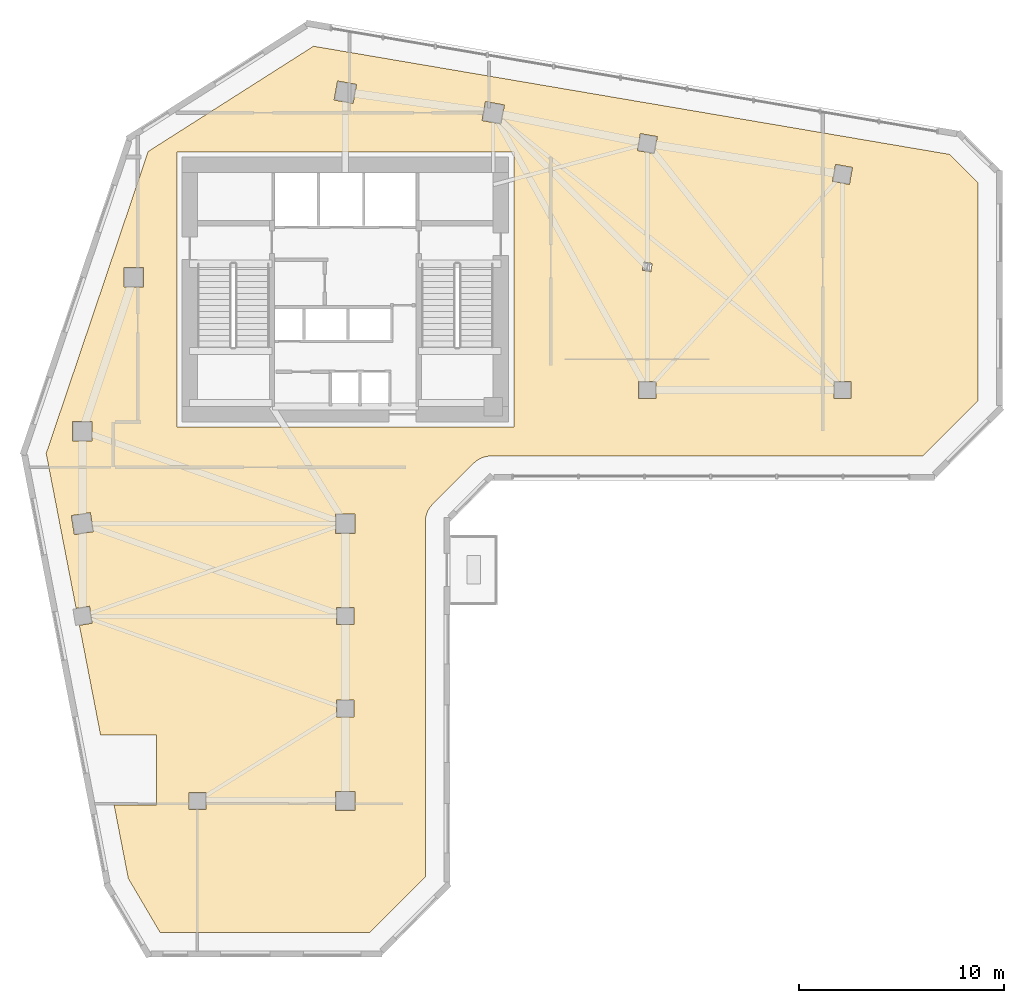
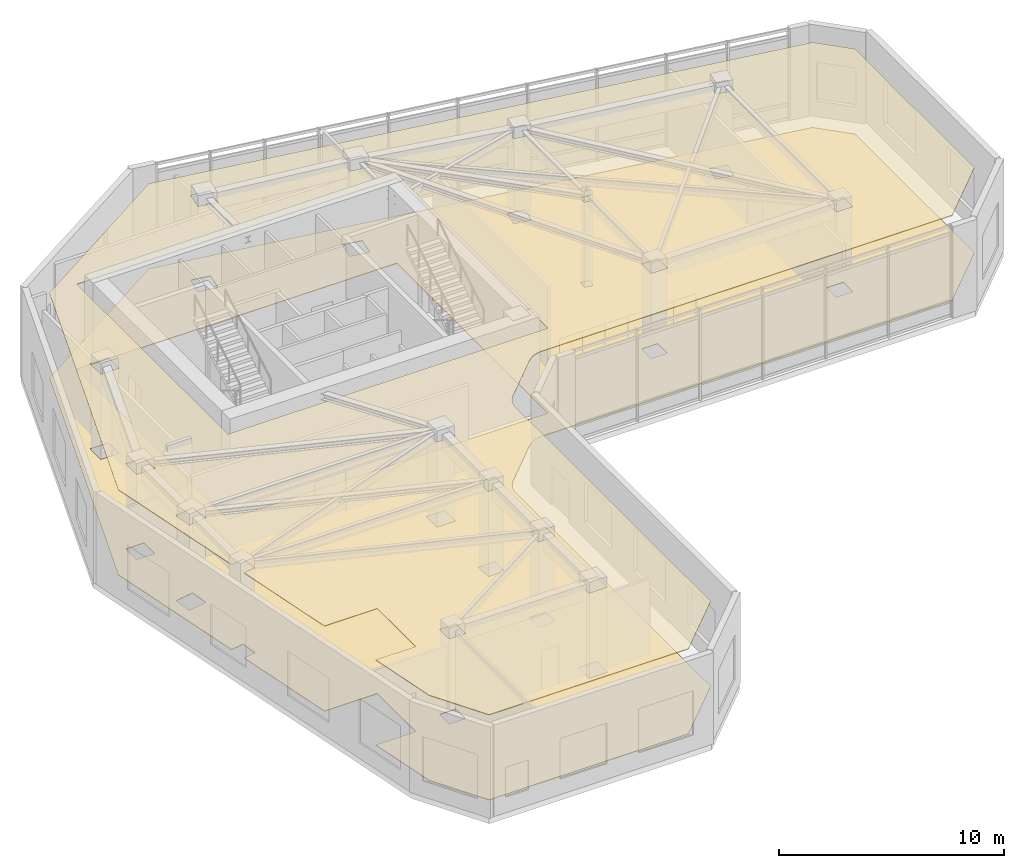
# One storey, part 8 of 9: 2 coverings.
"""IFC4 building model written with IfcOpenShell, lengths in metres."""

from ifc_helpers import new_model, si_unit, direction, frame, origin, place, context, subcontext, project, spatial, polyline, outline, extrude, material, layer, layer_set, type_object, element, save


model = new_model("IFC4")

# Units and contexts
model_context = context("Model", 3, precision=1e-05, world=origin(), true_north=direction((0.0, 1.0)))
body_context = subcontext(model_context, "Body", "Model", "MODEL_VIEW")
ifc_project = project(units=[si_unit("LENGTHUNIT", "METRE"), si_unit("AREAUNIT", "SQUARE_METRE"), si_unit("VOLUMEUNIT", "CUBIC_METRE"), si_unit("PLANEANGLEUNIT", "RADIAN"), si_unit("MASSUNIT", "GRAM", prefix="KILO")], contexts=[model_context])

# Site, building, storey
site_placement = place(None, origin())
site = spatial("IfcSite", under=ifc_project, at=site_placement, CompositionType="ELEMENT")
building_placement = place(site_placement, origin())
building = spatial("IfcBuilding", under=site, at=building_placement, Name="Calvemar Wedge Station Tower", CompositionType="ELEMENT")
storey_placement = place(building_placement, frame((0.0, 0.0, 105.39990234375)))
storey = spatial("IfcBuildingStorey", under=building, at=storey_placement, Name="L25", CompositionType="ELEMENT", Elevation=105.39990234375)

# Coverings
ifc_material_1 = material(Name="Acoustic mineral fibre ceiling board")
ifc_layer_1 = layer(ifc_material_1, 0.0400390625)
ifc_layer_set_1 = layer_set([ifc_layer_1], Name="Acoustic mineral fibre ceiling board")
covering_type_1 = type_object("IfcCoveringType", Name="COV-CEIL-ACOUSTIC", PredefinedType="CEILING", material=ifc_layer_set_1)
covering_1_placement = place(storey_placement, frame((0.0, 0.0, 4.60009765625)))
element("IfcCovering", 1, at=covering_1_placement, inside=storey, type_object=covering_type_1, Name="Storey L25 Acoustic Suspended Ceiling", PredefinedType="CEILING", context=body_context, shape_type="SweptSolid", body=[
    extrude(outline(polyline([(28.047607421875, 29.4404296875), (30.047607421875, 31.4404296875), (30.134765625, 31.51953125), (30.229248046875, 31.58984375), (30.330322265625, 31.650390625), (30.436767578125, 31.70068359375), (30.547607421875, 31.740234375), (30.661865234375, 31.768798828125), (30.7783203125, 31.7861328125), (30.89599609375, 31.7919921875), (51.90283203125, 31.7919921875), (54.60009765625, 34.489013671875), (54.60009765625, 45.094970703125), (53.221923828125, 46.47314453125), (22.25439453125, 51.739501953125), (14.201416015625, 46.614990234375), (9.23828125, 31.91650390625), (10.695068359375, 24.37646484375), (11.348388671875, 24.481201171875), (11.481201171875, 23.651611328125), (10.8544921875, 23.55126953125), (11.888427734375, 18.199951171875), (14.60009765625, 18.199951171875), (14.60009765625, 14.800048828125), (12.54541015625, 14.800048828125), (13.235107421875, 11.23046875), (14.7822265625, 8.60009765625), (24.998779296875, 8.60009765625), (27.696044921875, 11.297119140625), (27.696044921875, 28.592041015625), (27.701904296875, 28.709716796875), (27.718994140625, 28.826171875), (27.747802734375, 28.940185546875), (27.787353515625, 29.05126953125), (27.837646484375, 29.15771484375), (27.898193359375, 29.2587890625), (27.968505859375, 29.353271484375), (28.047607421875, 29.4404296875)]), holes=[polyline([(15.60009765625, 46.60009765625), (32.0, 46.60009765625), (32.0, 33.199951171875), (15.60009765625, 33.199951171875), (15.60009765625, 46.60009765625)]), polyline([(10.530029296875, 32.530029296875), (10.530029296875, 33.469970703125), (11.469970703125, 33.469970703125), (11.469970703125, 32.530029296875), (10.530029296875, 32.530029296875)]), polyline([(13.030029296875, 40.969970703125), (13.969970703125, 40.969970703125), (13.969970703125, 40.030029296875), (13.030029296875, 40.030029296875), (13.030029296875, 40.969970703125)]), polyline([(24.345703125, 49.87939453125), (24.17919921875, 48.9541015625), (23.254150390625, 49.12060546875), (23.420654296875, 50.0458984375), (24.345703125, 49.87939453125)]), polyline([(31.37939453125, 47.9541015625), (30.4541015625, 48.12060546875), (30.62060546875, 49.0458984375), (31.5458984375, 48.87939453125), (31.37939453125, 47.9541015625)]), polyline([(38.01220703125, 46.660888671875), (38.160888671875, 47.48779296875), (38.98779296875, 47.339111328125), (38.839111328125, 46.51220703125), (38.01220703125, 46.660888671875)]), polyline([(47.660888671875, 45.98779296875), (48.48779296875, 45.839111328125), (48.339111328125, 45.01220703125), (47.51220703125, 45.160888671875), (47.660888671875, 45.98779296875)]), polyline([(38.919921875, 35.419921875), (38.919921875, 34.580078125), (38.080078125, 34.580078125), (38.080078125, 35.419921875), (38.919921875, 35.419921875)]), polyline([(48.419921875, 34.580078125), (47.580078125, 34.580078125), (47.580078125, 35.419921875), (48.419921875, 35.419921875), (48.419921875, 34.580078125)]), polyline([(38.259765625, 40.833984375), (38.332763671875, 41.239501953125), (38.740234375, 41.166015625), (38.667236328125, 40.760498046875), (38.259765625, 40.833984375)]), polyline([(11.389892578125, 29.038330078125), (11.538330078125, 28.110107421875), (10.610107421875, 27.961669921875), (10.461669921875, 28.889892578125), (11.389892578125, 29.038330078125)]), polyline([(24.27001953125, 28.030029296875), (23.330078125, 28.030029296875), (23.330078125, 28.969970703125), (24.27001953125, 28.969970703125), (24.27001953125, 28.030029296875)]), polyline([(23.3798828125, 23.580078125), (23.3798828125, 24.419921875), (24.219970703125, 24.419921875), (24.219970703125, 23.580078125), (23.3798828125, 23.580078125)]), polyline([(23.3798828125, 19.919921875), (24.219970703125, 19.919921875), (24.219970703125, 19.080078125), (23.3798828125, 19.080078125), (23.3798828125, 19.919921875)]), polyline([(24.27001953125, 15.469970703125), (24.27001953125, 14.530029296875), (23.330078125, 14.530029296875), (23.330078125, 15.469970703125), (24.27001953125, 15.469970703125)]), polyline([(17.02001953125, 14.580078125), (16.179931640625, 14.580078125), (16.179931640625, 15.419921875), (17.02001953125, 15.419921875), (17.02001953125, 14.580078125)])]), origin(), (0.0, 0.0, 1.0), 0.0400390625),
])
ifc_material_2 = material(Name="Honed coastal granite stone tile", Category="masonry")
ifc_layer_2 = layer(ifc_material_2, 0.030029296875)
ifc_layer_set_2 = layer_set([ifc_layer_2], Name="Honed coastal granite stone tile")
covering_type_2 = type_object("IfcCoveringType", Name="COV-FLR-STONE", PredefinedType="FLOORING", material=ifc_layer_set_2)
covering_2_placement = place(storey_placement, origin())
element("IfcCovering", 2, at=covering_2_placement, inside=storey, type_object=covering_type_2, Name="Storey L25 Architectural Floor Finish", PredefinedType="FLOORING", context=body_context, shape_type="SweptSolid", body=[
    extrude(outline(polyline([(28.047607421875, 29.4404296875), (30.047607421875, 31.4404296875), (30.134765625, 31.51953125), (30.229248046875, 31.58984375), (30.330322265625, 31.650390625), (30.436767578125, 31.70068359375), (30.547607421875, 31.740234375), (30.661865234375, 31.768798828125), (30.7783203125, 31.7861328125), (30.89599609375, 31.7919921875), (51.90283203125, 31.7919921875), (54.60009765625, 34.489013671875), (54.60009765625, 45.094970703125), (53.221923828125, 46.47314453125), (22.25439453125, 51.739501953125), (14.201416015625, 46.614990234375), (9.23828125, 31.91650390625), (10.695068359375, 24.37646484375), (11.348388671875, 24.481201171875), (11.481201171875, 23.651611328125), (10.8544921875, 23.55126953125), (11.888427734375, 18.199951171875), (14.60009765625, 18.199951171875), (14.60009765625, 14.800048828125), (12.54541015625, 14.800048828125), (13.235107421875, 11.23046875), (14.7822265625, 8.60009765625), (24.998779296875, 8.60009765625), (27.696044921875, 11.297119140625), (27.696044921875, 28.592041015625), (27.701904296875, 28.709716796875), (27.718994140625, 28.826171875), (27.747802734375, 28.940185546875), (27.787353515625, 29.05126953125), (27.837646484375, 29.15771484375), (27.898193359375, 29.2587890625), (27.968505859375, 29.353271484375), (28.047607421875, 29.4404296875)]), holes=[polyline([(15.60009765625, 46.60009765625), (32.0, 46.60009765625), (32.0, 33.199951171875), (15.60009765625, 33.199951171875), (15.60009765625, 46.60009765625)]), polyline([(10.530029296875, 32.530029296875), (10.530029296875, 33.469970703125), (11.469970703125, 33.469970703125), (11.469970703125, 32.530029296875), (10.530029296875, 32.530029296875)]), polyline([(13.030029296875, 40.969970703125), (13.969970703125, 40.969970703125), (13.969970703125, 40.030029296875), (13.030029296875, 40.030029296875), (13.030029296875, 40.969970703125)]), polyline([(24.345703125, 49.87939453125), (24.17919921875, 48.9541015625), (23.254150390625, 49.12060546875), (23.420654296875, 50.0458984375), (24.345703125, 49.87939453125)]), polyline([(31.37939453125, 47.9541015625), (30.4541015625, 48.12060546875), (30.62060546875, 49.0458984375), (31.5458984375, 48.87939453125), (31.37939453125, 47.9541015625)]), polyline([(38.01220703125, 46.660888671875), (38.160888671875, 47.48779296875), (38.98779296875, 47.339111328125), (38.839111328125, 46.51220703125), (38.01220703125, 46.660888671875)]), polyline([(47.660888671875, 45.98779296875), (48.48779296875, 45.839111328125), (48.339111328125, 45.01220703125), (47.51220703125, 45.160888671875), (47.660888671875, 45.98779296875)]), polyline([(38.919921875, 35.419921875), (38.919921875, 34.580078125), (38.080078125, 34.580078125), (38.080078125, 35.419921875), (38.919921875, 35.419921875)]), polyline([(48.419921875, 34.580078125), (47.580078125, 34.580078125), (47.580078125, 35.419921875), (48.419921875, 35.419921875), (48.419921875, 34.580078125)]), polyline([(38.259765625, 40.833984375), (38.332763671875, 41.239501953125), (38.740234375, 41.166015625), (38.667236328125, 40.760498046875), (38.259765625, 40.833984375)]), polyline([(11.389892578125, 29.038330078125), (11.538330078125, 28.110107421875), (10.610107421875, 27.961669921875), (10.461669921875, 28.889892578125), (11.389892578125, 29.038330078125)]), polyline([(24.27001953125, 28.030029296875), (23.330078125, 28.030029296875), (23.330078125, 28.969970703125), (24.27001953125, 28.969970703125), (24.27001953125, 28.030029296875)]), polyline([(23.3798828125, 23.580078125), (23.3798828125, 24.419921875), (24.219970703125, 24.419921875), (24.219970703125, 23.580078125), (23.3798828125, 23.580078125)]), polyline([(23.3798828125, 19.919921875), (24.219970703125, 19.919921875), (24.219970703125, 19.080078125), (23.3798828125, 19.080078125), (23.3798828125, 19.919921875)]), polyline([(24.27001953125, 15.469970703125), (24.27001953125, 14.530029296875), (23.330078125, 14.530029296875), (23.330078125, 15.469970703125), (24.27001953125, 15.469970703125)]), polyline([(17.02001953125, 14.580078125), (16.179931640625, 14.580078125), (16.179931640625, 15.419921875), (17.02001953125, 15.419921875), (17.02001953125, 14.580078125)])]), origin(), (0.0, 0.0, 1.0), 0.030029296875),
])

save(model, "model.ifc")
